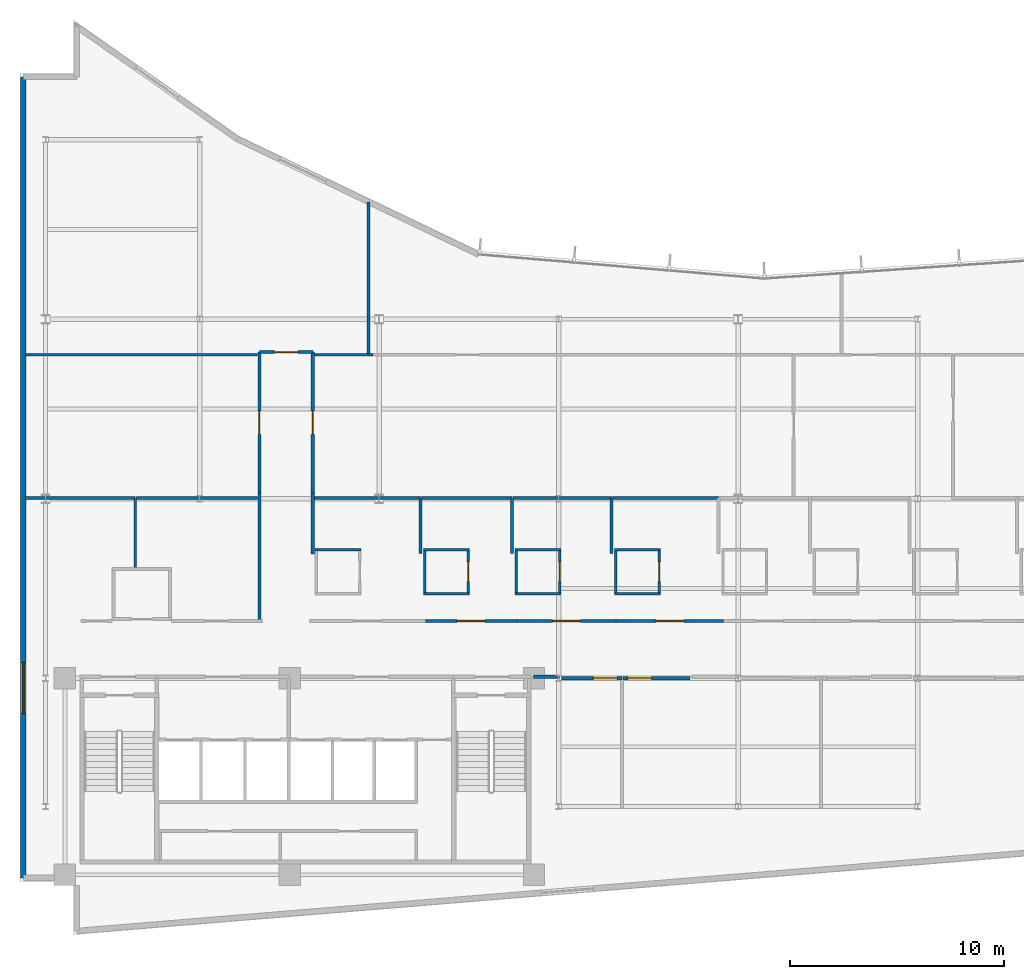
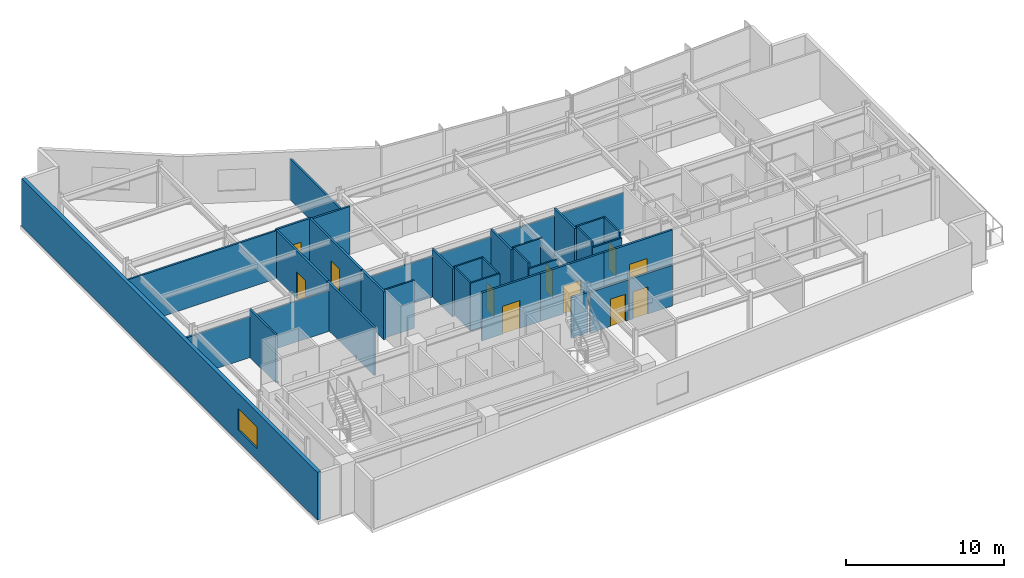
# One storey, part 10 of 15: 38 walls, 11 doors, 1 window, 12 openings.
"""IFC4 building model written with IfcOpenShell, lengths in metres."""

from ifc_helpers import new_model, si_unit, direction, frame, frame_2d, origin, place, context, subcontext, project, spatial, rectangle, extrude, material, layer, layer_set, type_object, element, fill, save


model = new_model("IFC4")

# Units and contexts
model_context = context("Model", 3, precision=1e-05, world=origin(), true_north=direction((0.0, 1.0)))
body_context = subcontext(model_context, "Body", "Model", "MODEL_VIEW")
ifc_project = project(units=[si_unit("LENGTHUNIT", "METRE"), si_unit("AREAUNIT", "SQUARE_METRE"), si_unit("VOLUMEUNIT", "CUBIC_METRE"), si_unit("PLANEANGLEUNIT", "RADIAN"), si_unit("MASSUNIT", "GRAM", prefix="KILO")], contexts=[model_context])

# Site, building, storey
site_placement = place(None, origin())
site = spatial("IfcSite", under=ifc_project, at=site_placement, CompositionType="ELEMENT")
building_placement = place(site_placement, origin())
building = spatial("IfcBuilding", under=site, at=building_placement, Name="Varnakote Quay Hospital", CompositionType="ELEMENT")
storey_placement = place(building_placement, frame((0.0, 0.0, 192.10009765625)))
storey = spatial("IfcBuildingStorey", under=building, at=storey_placement, Name="L47", CompositionType="ELEMENT", Elevation=192.10009765625)

# Walls
ifc_material_1 = material(Name="Fire-rated acoustic gypsum stud wall", Category="gypsum")
ifc_layer_1 = layer(ifc_material_1, 0.159912109375)
ifc_layer_set_1 = layer_set([ifc_layer_1], Name="Fire-rated acoustic gypsum stud wall")
wall_type_1 = type_object("IfcWallType", Name="WL-COMP-160", PredefinedType="PARTITIONING", material=ifc_layer_set_1)
wall_1_placement = place(storey_placement, frame((24.02001953125, 12.080078125, 0.0), z_axis=(0.0, 0.0, 1.0), x_axis=(1.0, 0.0, 0.0)))
element("IfcWall", 1, at=wall_1_placement, inside=storey, type_object=wall_type_1, Name="L47 Corridor South Gap Wall", PredefinedType="PARTITIONING", context=body_context, shape_type="SweptSolid", body=[
    extrude(rectangle(XDim=1.21875, YDim=0.159912109375, at=frame_2d((0.609375, 0.0))), origin(), (0.0, 0.0, 1.0), 3.15185546875),
])
ifc_material_2 = material(Name="Moisture-resistant bathroom partition", Category="gypsum")
ifc_layer_2 = layer(ifc_material_2, 0.114990234375)
ifc_layer_set_2 = layer_set([ifc_layer_2], Name="Moisture-resistant bathroom partition")
wall_type_2 = type_object("IfcWallType", Name="WL-ENS-115", PredefinedType="PARTITIONING", material=ifc_layer_set_2)
wall_2_placement = place(storey_placement, frame((13.804931640625, 18.017578125, 0.0), z_axis=(0.0, 0.0, 1.0), x_axis=(1.0, 0.0, 0.0)))
element("IfcWall", 2, at=wall_2_placement, inside=storey, type_object=wall_type_2, Name="L47 Inpatient En-Suite Bathroom 01 N Wall", PredefinedType="PARTITIONING", context=body_context, shape_type="SweptSolid", body=[
    extrude(rectangle(XDim=2.150146484375, YDim=0.114990234375, at=frame_2d((1.0751953125, 0.0))), origin(), (0.0, 0.0, 1.0), 3.7099609375),
])
for number, where, z_axis, x_axis, name in (
    (3, (18.885009765625, 15.952392578125, 0.0), (0.0, 0.0, 1.0), (1.0, 0.0, 0.0), "L47 Inpatient En-Suite Bathroom 02 S Wall"),
    (4, (18.885009765625, 18.017578125, 0.0), (0.0, 0.0, 1.0), (1.0, 0.0, 0.0), "L47 Inpatient En-Suite Bathroom 02 N Wall"),
):
    element("IfcWall", number, at=place(storey_placement, frame(where, z_axis=z_axis, x_axis=x_axis)), inside=storey, type_object=wall_type_2, Name=name, PredefinedType="PARTITIONING", context=body_context, shape_type="SweptSolid", body=[
        extrude(rectangle(XDim=2.14990234375, YDim=0.114990234375, at=frame_2d((1.074951171875, 0.0))), origin(), (0.0, 0.0, 1.0), 3.7099609375),
    ])
wall_3_placement = place(storey_placement, frame((18.9423828125, 16.010009765625, 0.0), z_axis=(0.0, 0.0, 1.0), x_axis=(0.0, 1.0, 0.0)))
element("IfcWall", 5, at=wall_3_placement, inside=storey, type_object=wall_type_2, Name="L47 Inpatient En-Suite Bathroom 02 W Wall", PredefinedType="PARTITIONING", context=body_context, shape_type="SweptSolid", body=[
    extrude(rectangle(XDim=1.949951171875, YDim=0.114990234375, at=frame_2d((0.97509765625, 0.0))), origin(), (0.0, 0.0, 1.0), 3.7099609375),
])

# Wall, opening, door
wall_4_placement = place(storey_placement, frame((20.9775390625, 16.010009765625, 0.0), z_axis=(0.0, 0.0, 1.0), x_axis=(0.0, 1.0, 0.0)))
wall_4 = element("IfcWall", 6, at=wall_4_placement, inside=storey, type_object=wall_type_2, Name="L47 Inpatient En-Suite Bathroom 02 E Wall", PredefinedType="PARTITIONING", context=body_context, shape_type="SweptSolid", body=[
    extrude(rectangle(XDim=1.949951171875, YDim=0.114990234375, at=frame_2d((0.97509765625, 0.0))), origin(), (0.0, 0.0, 1.0), 3.7099609375),
])
opening_1_placement = place(wall_4_placement, frame((0.514892578125, 0.0, 0.0)))
opening_1 = element("IfcOpeningElement", 7, at=opening_1_placement, cuts=wall_4, Name="Opening D-L47-ENS02", PredefinedType="OPENING", context=body_context, shape_type="SweptSolid", body=[
    extrude(rectangle(XDim=0.919921875, YDim=2.10009765625, at=frame_2d((0.4599609375, 1.050048828125))), frame((0.0, 0.0673828125, 0.0), z_axis=(0.0, -1.0, 0.0), x_axis=(1.0, 0.0, 0.0)), (0.0, 0.0, 1.0), 0.135009765625),
])
ifc_material_3 = material(Name="Moisture-sealed en-suite bathroom door")
door_type_1 = type_object("IfcDoorType", Name="DR-ENS-920x2100", OperationType="NOTDEFINED", PredefinedType="DOOR", material=ifc_material_3)
door_1_placement = place(opening_1_placement, origin())
door_1 = element("IfcDoor", 8, at=door_1_placement, inside=storey, type_object=door_type_1, Name="L47 Inpatient En-Suite Bathroom 02 Door", OperationType="SINGLE_SWING_LEFT", OverallHeight=2.10009765625, OverallWidth=0.919921875, PredefinedType="DOOR", context=body_context, shape_type="SweptSolid", body=[
    extrude(rectangle(XDim=0.919921875, YDim=2.10009765625, at=frame_2d((0.4599609375, 1.050048828125))), frame((0.0, 0.02490234375, 0.0), z_axis=(0.0, -1.0, 0.0), x_axis=(1.0, 0.0, 0.0)), (0.0, 0.0, 1.0), 0.050048828125),
])
fill(opening_1, door_1)

# Walls
wall_5_placement = place(storey_placement, frame((23.1650390625, 15.952392578125, 0.0), z_axis=(0.0, 0.0, 1.0), x_axis=(1.0, 0.0, 0.0)))
element("IfcWall", 9, at=wall_5_placement, inside=storey, type_object=wall_type_2, Name="L47 Inpatient En-Suite Bathroom 03 S Wall", PredefinedType="PARTITIONING", context=body_context, shape_type="SweptSolid", body=[
    extrude(rectangle(XDim=2.14990234375, YDim=0.114990234375, at=frame_2d((1.074951171875, 0.0))), origin(), (0.0, 0.0, 1.0), 3.328857421875),
])
wall_6_placement = place(storey_placement, frame((23.1650390625, 18.017578125, 0.0), z_axis=(0.0, 0.0, 1.0), x_axis=(1.0, 0.0, 0.0)))
element("IfcWall", 10, at=wall_6_placement, inside=storey, type_object=wall_type_2, Name="L47 Inpatient En-Suite Bathroom 03 N Wall", PredefinedType="PARTITIONING", context=body_context, shape_type="SweptSolid", body=[
    extrude(rectangle(XDim=2.14990234375, YDim=0.114990234375, at=frame_2d((1.074951171875, 0.0))), origin(), (0.0, 0.0, 1.0), 3.7099609375),
])
wall_7_placement = place(storey_placement, frame((23.222412109375, 16.010009765625, 0.0), z_axis=(0.0, 0.0, 1.0), x_axis=(0.0, 1.0, 0.0)))
element("IfcWall", 11, at=wall_7_placement, inside=storey, type_object=wall_type_2, Name="L47 Inpatient En-Suite Bathroom 03 W Wall", PredefinedType="PARTITIONING", context=body_context, shape_type="SweptSolid", body=[
    extrude(rectangle(XDim=1.949951171875, YDim=0.114990234375, at=frame_2d((0.97509765625, 0.0))), origin(), (0.0, 0.0, 1.0), 3.7099609375),
])

# Wall, opening, door
wall_8_placement = place(storey_placement, frame((25.257568359375, 16.010009765625, 0.0), z_axis=(0.0, 0.0, 1.0), x_axis=(0.0, 1.0, 0.0)))
wall_8 = element("IfcWall", 12, at=wall_8_placement, inside=storey, type_object=wall_type_2, Name="L47 Inpatient En-Suite Bathroom 03 E Wall", PredefinedType="PARTITIONING", context=body_context, shape_type="SweptSolid", body=[
    extrude(rectangle(XDim=1.949951171875, YDim=0.114990234375, at=frame_2d((0.97509765625, 0.0))), origin(), (0.0, 0.0, 1.0), 3.15185546875),
])
opening_2_placement = place(wall_8_placement, frame((0.514892578125, 0.0, 0.0)))
opening_2 = element("IfcOpeningElement", 13, at=opening_2_placement, cuts=wall_8, Name="Opening D-L47-ENS03", PredefinedType="OPENING", context=body_context, shape_type="SweptSolid", body=[
    extrude(rectangle(XDim=0.919921875, YDim=2.10009765625, at=frame_2d((0.4599609375, 1.050048828125))), frame((0.0, 0.0673828125, 0.0), z_axis=(0.0, -1.0, 0.0), x_axis=(1.0, 0.0, 0.0)), (0.0, 0.0, 1.0), 0.135009765625),
])
door_2_placement = place(opening_2_placement, origin())
door_2 = element("IfcDoor", 14, at=door_2_placement, inside=storey, type_object=door_type_1, Name="L47 Inpatient En-Suite Bathroom 03 Door", OperationType="SINGLE_SWING_RIGHT", OverallHeight=2.10009765625, OverallWidth=0.919921875, PredefinedType="DOOR", context=body_context, shape_type="SweptSolid", body=[
    extrude(rectangle(XDim=0.919921875, YDim=2.10009765625, at=frame_2d((0.4599609375, 1.050048828125))), frame((0.0, 0.02490234375, 0.0), z_axis=(0.0, -1.0, 0.0), x_axis=(1.0, 0.0, 0.0)), (0.0, 0.0, 1.0), 0.050048828125),
])
fill(opening_2, door_2)

# Walls
wall_9_placement = place(storey_placement, frame((27.81494140625, 15.952392578125, 0.0), z_axis=(0.0, 0.0, 1.0), x_axis=(1.0, 0.0, 0.0)))
element("IfcWall", 15, at=wall_9_placement, inside=storey, type_object=wall_type_2, Name="L47 Inpatient En-Suite Bathroom 04 S Wall", PredefinedType="PARTITIONING", context=body_context, shape_type="SweptSolid", body=[
    extrude(rectangle(XDim=2.150146484375, YDim=0.114990234375, at=frame_2d((1.0751953125, 0.0))), origin(), (0.0, 0.0, 1.0), 3.328857421875),
])
wall_10_placement = place(storey_placement, frame((27.81494140625, 18.017578125, 0.0), z_axis=(0.0, 0.0, 1.0), x_axis=(1.0, 0.0, 0.0)))
element("IfcWall", 16, at=wall_10_placement, inside=storey, type_object=wall_type_2, Name="L47 Inpatient En-Suite Bathroom 04 N Wall", PredefinedType="PARTITIONING", context=body_context, shape_type="SweptSolid", body=[
    extrude(rectangle(XDim=2.150146484375, YDim=0.114990234375, at=frame_2d((1.0751953125, 0.0))), origin(), (0.0, 0.0, 1.0), 3.7099609375),
])
wall_11_placement = place(storey_placement, frame((27.87255859375, 16.010009765625, 0.0), z_axis=(0.0, 0.0, 1.0), x_axis=(0.0, 1.0, 0.0)))
element("IfcWall", 17, at=wall_11_placement, inside=storey, type_object=wall_type_2, Name="L47 Inpatient En-Suite Bathroom 04 W Wall", PredefinedType="PARTITIONING", context=body_context, shape_type="SweptSolid", body=[
    extrude(rectangle(XDim=1.949951171875, YDim=0.114990234375, at=frame_2d((0.97509765625, 0.0))), origin(), (0.0, 0.0, 1.0), 3.7099609375),
])

# Wall, opening, door
wall_12_placement = place(storey_placement, frame((29.907470703125, 16.010009765625, 0.0), z_axis=(0.0, 0.0, 1.0), x_axis=(0.0, 1.0, 0.0)))
wall_12 = element("IfcWall", 18, at=wall_12_placement, inside=storey, type_object=wall_type_2, Name="L47 Inpatient En-Suite Bathroom 04 E Wall", PredefinedType="PARTITIONING", context=body_context, shape_type="SweptSolid", body=[
    extrude(rectangle(XDim=1.949951171875, YDim=0.114990234375, at=frame_2d((0.97509765625, 0.0))), origin(), (0.0, 0.0, 1.0), 3.7099609375),
])
opening_3_placement = place(wall_12_placement, frame((0.514892578125, 0.0, 0.0)))
opening_3 = element("IfcOpeningElement", 19, at=opening_3_placement, cuts=wall_12, Name="Opening D-L47-ENS04", PredefinedType="OPENING", context=body_context, shape_type="SweptSolid", body=[
    extrude(rectangle(XDim=0.919921875, YDim=2.10009765625, at=frame_2d((0.4599609375, 1.050048828125))), frame((0.0, 0.0673828125, 0.0), z_axis=(0.0, -1.0, 0.0), x_axis=(1.0, 0.0, 0.0)), (0.0, 0.0, 1.0), 0.135009765625),
])
door_3_placement = place(opening_3_placement, origin())
door_3 = element("IfcDoor", 20, at=door_3_placement, inside=storey, type_object=door_type_1, Name="L47 Inpatient En-Suite Bathroom 04 Door", OperationType="SINGLE_SWING_LEFT", OverallHeight=2.10009765625, OverallWidth=0.919921875, PredefinedType="DOOR", context=body_context, shape_type="SweptSolid", body=[
    extrude(rectangle(XDim=0.919921875, YDim=2.10009765625, at=frame_2d((0.4599609375, 1.050048828125))), frame((0.0, 0.02490234375, 0.0), z_axis=(0.0, -1.0, 0.0), x_axis=(1.0, 0.0, 0.0)), (0.0, 0.0, 1.0), 0.050048828125),
])
fill(opening_3, door_3)

# Wall, opening, window
ifc_material_4 = material(Name="Precast concrete N50 (f'c 50 MPa)", Category="concrete")
ifc_layer_3 = layer(ifc_material_4, 0.260009765625)
ifc_layer_set_3 = layer_set([ifc_layer_3], Name="Precast concrete N50 (f'c 50 MPa)")
wall_type_3 = type_object("IfcWallType", Name="WL-EXT-BRICK-260", PredefinedType="STANDARD", material=ifc_layer_set_3)
wall_13_placement = place(storey_placement, frame((0.159912109375, 40.139892578125, 0.0), z_axis=(0.0, 0.0, 1.0), x_axis=(0.0, -1.0, 0.0)))
wall_13 = element("IfcWall", 21, at=wall_13_placement, inside=storey, type_object=wall_type_3, Name="L47 Brick-Faced Precast Exterior Wall", PredefinedType="STANDARD", context=body_context, shape_type="SweptSolid", body=[
    extrude(rectangle(XDim=37.47998046875, YDim=0.260009765625, at=frame_2d((18.739990234375, 0.0))), origin(), (0.0, 0.0, 1.0), 3.7099609375),
])
opening_4_placement = place(wall_13_placement, frame((27.39990234375, 0.0, 0.89990234375)))
opening_4 = element("IfcOpeningElement", 22, at=opening_4_placement, cuts=wall_13, Name="Opening WN-0197", PredefinedType="OPENING", context=body_context, shape_type="SweptSolid", body=[
    extrude(rectangle(XDim=2.39990234375, YDim=1.64990234375, at=frame_2d((1.199951171875, 0.824951171875))), frame((0.0, 0.139892578125, 0.0), z_axis=(0.0, -1.0, 0.0), x_axis=(1.0, 0.0, 0.0)), (0.0, 0.0, 1.0), 0.280029296875),
])
ifc_material_5 = material(Name="Double-glazed low-E solar glass", Category="glass")
window_type = type_object("IfcWindowType", Name="WIN-CLIN-2400x1650", PartitioningType="SINGLE_PANEL", PredefinedType="WINDOW", material=ifc_material_5)
window_placement = place(opening_4_placement, origin())
window = element("IfcWindow", 23, at=window_placement, inside=storey, type_object=window_type, Name="L47 Solar-Control Clinical Window", OverallHeight=1.64990234375, OverallWidth=2.39990234375, PartitioningType="SINGLE_PANEL", PredefinedType="WINDOW", context=body_context, shape_type="SweptSolid", body=[
    extrude(rectangle(XDim=2.39990234375, YDim=1.64990234375, at=frame_2d((1.199951171875, 0.824951171875))), frame((0.0, 0.030029296875, 0.0), z_axis=(0.0, -1.0, 0.0), x_axis=(1.0, 0.0, 0.0)), (0.0, 0.0, 1.0), 0.06005859375),
])
fill(opening_4, window)

# Walls
ifc_material_6 = material(Name="Smoke-proof clinical partition", Category="gypsum")
ifc_layer_4 = layer(ifc_material_6, 0.135009765625)
ifc_layer_set_4 = layer_set([ifc_layer_4], Name="Smoke-proof clinical partition")
wall_type_4 = type_object("IfcWallType", Name="WL-SMOKE-135", PredefinedType="PARTITIONING", material=ifc_layer_set_4)
wall_14_placement = place(storey_placement, frame((5.389892578125, 17.139892578125, 0.0), z_axis=(0.0, 0.0, 1.0), x_axis=(0.0, 1.0, 0.0)))
element("IfcWall", 24, at=wall_14_placement, inside=storey, type_object=wall_type_4, Name="L47 Clinical Interior Partition", PredefinedType="PARTITIONING", context=body_context, shape_type="SweptSolid", body=[
    extrude(rectangle(XDim=3.300048828125, YDim=0.135009765625, at=frame_2d((1.64990234375, 0.0))), origin(), (0.0, 0.0, 1.0), 3.7099609375),
])
wall_15_placement = place(storey_placement, frame((5.389892578125, 20.43994140625, 0.0), z_axis=(0.0, 0.0, 1.0), x_axis=(-1.0, 0.0, 0.0)))
element("IfcWall", 25, at=wall_15_placement, inside=storey, type_object=wall_type_4, Name="L47 Clinical Interior Partition", PredefinedType="PARTITIONING", context=body_context, shape_type="SweptSolid", body=[
    extrude(rectangle(XDim=5.14990234375, YDim=0.135009765625, at=frame_2d((2.574951171875, 0.0))), origin(), (0.0, 0.0, 1.0), 3.15185546875),
])
wall_16_placement = place(storey_placement, frame((11.1201171875, 20.43994140625, 0.0), z_axis=(0.0, 0.0, 1.0), x_axis=(-1.0, 0.0, 0.0)))
element("IfcWall", 26, at=wall_16_placement, inside=storey, type_object=wall_type_4, Name="L47 Clinical Interior Partition", PredefinedType="PARTITIONING", context=body_context, shape_type="SweptSolid", body=[
    extrude(rectangle(XDim=5.672607421875, YDim=0.135009765625, at=frame_2d((2.83642578125, 0.0))), origin(), (0.0, 0.0, 1.0), 3.15185546875),
])
wall_17_placement = place(storey_placement, frame((18.739990234375, 17.83251953125, 0.0), z_axis=(0.0, 0.0, 1.0), x_axis=(0.0, 1.0, 0.0)))
element("IfcWall", 27, at=wall_17_placement, inside=storey, type_object=wall_type_4, Name="L47 Clinical Interior Partition", PredefinedType="PARTITIONING", context=body_context, shape_type="SweptSolid", body=[
    extrude(rectangle(XDim=2.607421875, YDim=0.135009765625, at=frame_2d((1.3037109375, 0.0))), origin(), (0.0, 0.0, 1.0), 3.7099609375),
])
wall_18_placement = place(storey_placement, frame((18.739990234375, 20.43994140625, 0.0), z_axis=(0.0, 0.0, 1.0), x_axis=(-1.0, 0.0, 0.0)))
element("IfcWall", 28, at=wall_18_placement, inside=storey, type_object=wall_type_4, Name="L47 Clinical Interior Partition", PredefinedType="PARTITIONING", context=body_context, shape_type="SweptSolid", body=[
    extrude(rectangle(XDim=4.9599609375, YDim=0.135009765625, at=frame_2d((2.47998046875, 0.0))), origin(), (0.0, 0.0, 1.0), 3.15185546875),
])
wall_19_placement = place(storey_placement, frame((23.02001953125, 17.83251953125, 0.0), z_axis=(0.0, 0.0, 1.0), x_axis=(0.0, 1.0, 0.0)))
element("IfcWall", 29, at=wall_19_placement, inside=storey, type_object=wall_type_4, Name="L47 Clinical Interior Partition", PredefinedType="PARTITIONING", context=body_context, shape_type="SweptSolid", body=[
    extrude(rectangle(XDim=2.607421875, YDim=0.135009765625, at=frame_2d((1.3037109375, 0.0))), origin(), (0.0, 0.0, 1.0), 3.7099609375),
])
wall_20_placement = place(storey_placement, frame((23.02001953125, 20.43994140625, 0.0), z_axis=(0.0, 0.0, 1.0), x_axis=(-1.0, 0.0, 0.0)))
element("IfcWall", 30, at=wall_20_placement, inside=storey, type_object=wall_type_4, Name="L47 Clinical Interior Partition", PredefinedType="PARTITIONING", context=body_context, shape_type="SweptSolid", body=[
    extrude(rectangle(XDim=4.222412109375, YDim=0.135009765625, at=frame_2d((2.111328125, 0.0))), origin(), (0.0, 0.0, 1.0), 3.15185546875),
])
wall_21_placement = place(storey_placement, frame((27.669921875, 17.83251953125, 0.0), z_axis=(0.0, 0.0, 1.0), x_axis=(0.0, 1.0, 0.0)))
element("IfcWall", 31, at=wall_21_placement, inside=storey, type_object=wall_type_4, Name="L47 Clinical Interior Partition", PredefinedType="PARTITIONING", context=body_context, shape_type="SweptSolid", body=[
    extrude(rectangle(XDim=2.607421875, YDim=0.135009765625, at=frame_2d((1.3037109375, 0.0))), origin(), (0.0, 0.0, 1.0), 3.7099609375),
])
wall_22_placement = place(storey_placement, frame((27.669921875, 20.43994140625, 0.0), z_axis=(0.0, 0.0, 1.0), x_axis=(-1.0, 0.0, 0.0)))
element("IfcWall", 32, at=wall_22_placement, inside=storey, type_object=wall_type_4, Name="L47 Clinical Interior Partition", PredefinedType="PARTITIONING", context=body_context, shape_type="SweptSolid", body=[
    extrude(rectangle(XDim=4.592529296875, YDim=0.135009765625, at=frame_2d((2.29638671875, 0.0))), origin(), (0.0, 0.0, 1.0), 3.15185546875),
])
wall_23_placement = place(storey_placement, frame((32.68994140625, 20.43994140625, 0.0), z_axis=(0.0, 0.0, 1.0), x_axis=(-1.0, 0.0, 0.0)))
element("IfcWall", 33, at=wall_23_placement, inside=storey, type_object=wall_type_4, Name="L47 Clinical Interior Partition", PredefinedType="PARTITIONING", context=body_context, shape_type="SweptSolid", body=[
    extrude(rectangle(XDim=4.96240234375, YDim=0.135009765625, at=frame_2d((2.481201171875, 0.0))), origin(), (0.0, 0.0, 1.0), 3.15185546875),
])
wall_24_placement = place(storey_placement, frame((11.1201171875, 27.139892578125, 0.0), z_axis=(0.0, 0.0, 1.0), x_axis=(-1.0, 0.0, 0.0)))
element("IfcWall", 34, at=wall_24_placement, inside=storey, type_object=wall_type_4, Name="L47 Clinical Interior Partition", PredefinedType="PARTITIONING", context=body_context, shape_type="SweptSolid", body=[
    extrude(rectangle(XDim=10.880126953125, YDim=0.135009765625, at=frame_2d((5.43994140625, 0.0))), origin(), (0.0, 0.0, 1.0), 3.7099609375),
])
wall_25_placement = place(storey_placement, frame((16.517578125, 27.139892578125, 0.0), z_axis=(0.0, 0.0, 1.0), x_axis=(-1.0, 0.0, 0.0)))
element("IfcWall", 35, at=wall_25_placement, inside=storey, type_object=wall_type_4, Name="L47 Clinical Interior Partition", PredefinedType="PARTITIONING", context=body_context, shape_type="SweptSolid", body=[
    extrude(rectangle(XDim=2.737548828125, YDim=0.135009765625, at=frame_2d((1.36865234375, 0.0))), origin(), (0.0, 0.0, 1.0), 3.7099609375),
])
wall_26_placement = place(storey_placement, frame((16.31005859375, 27.197509765625, 0.0), z_axis=(0.0, 0.0, 1.0), x_axis=(0.0, 1.0, 0.0)))
element("IfcWall", 36, at=wall_26_placement, inside=storey, type_object=wall_type_4, Name="L47 Clinical Interior Partition", PredefinedType="PARTITIONING", context=body_context, shape_type="SweptSolid", body=[
    extrude(rectangle(XDim=7.09326171875, YDim=0.135009765625, at=frame_2d((3.546630859375, 0.0))), origin(), (0.0, 0.0, 1.0), 3.15185546875),
])

# Wall, opening, door
ifc_material_7 = material(Name="Fire-rated clinical gypsum partition", Category="gypsum")
ifc_layer_5 = layer(ifc_material_7, 0.14990234375)
ifc_layer_set_5 = layer_set([ifc_layer_5], Name="Fire-rated clinical gypsum partition")
wall_type_5 = type_object("IfcWallType", Name="WL-WARD-150", PredefinedType="PARTITIONING", material=ifc_layer_set_5)
wall_27_placement = place(storey_placement, frame((28.159912109375, 12.0, 0.0), z_axis=(0.0, 0.0, 1.0), x_axis=(-1.0, 0.0, 0.0)))
wall_27 = element("IfcWall", 37, at=wall_27_placement, inside=storey, type_object=wall_type_5, Name="L47 Clinical Interior Partition", PredefinedType="PARTITIONING", context=body_context, shape_type="SweptSolid", body=[
    extrude(rectangle(XDim=2.83203125, YDim=0.14990234375, at=frame_2d((1.416015625, 0.0))), origin(), (0.0, 0.0, 1.0), 3.15185546875),
])
opening_5_placement = place(wall_27_placement, frame((0.2333984375, 0.0, 0.0)))
opening_5 = element("IfcOpeningElement", 38, at=opening_5_placement, cuts=wall_27, Name="Opening D-L47-RL1", PredefinedType="OPENING", context=body_context, shape_type="SweptSolid", body=[
    extrude(rectangle(XDim=1.10009765625, YDim=2.10009765625, at=frame_2d((0.550048828125, 1.050048828125))), frame((0.0, 0.0849609375, 0.0), z_axis=(0.0, -1.0, 0.0), x_axis=(1.0, 0.0, 0.0)), (0.0, 0.0, 1.0), 0.169921875),
])
ifc_material_8 = material(Name="Acoustic timber clinical consult door", Category="wood")
door_type_2 = type_object("IfcDoorType", Name="DR-CLIN-FD30S-1100x2100", OperationType="NOTDEFINED", PredefinedType="DOOR", material=ifc_material_8)
door_4_placement = place(opening_5_placement, origin())
door_4 = element("IfcDoor", 39, at=door_4_placement, inside=storey, type_object=door_type_2, Name="L47 Day Infusion Treatment Suite Door", OperationType="SINGLE_SWING_RIGHT", OverallHeight=2.10009765625, OverallWidth=1.10009765625, PredefinedType="DOOR", context=body_context, shape_type="SweptSolid", body=[
    extrude(rectangle(XDim=1.10009765625, YDim=2.10009765625, at=frame_2d((0.550048828125, 1.050048828125))), frame((0.0, 0.02490234375, 0.0), z_axis=(0.0, -1.0, 0.0), x_axis=(1.0, 0.0, 0.0)), (0.0, 0.0, 1.0), 0.050048828125),
])
fill(opening_5, door_4)

wall_28_placement = place(storey_placement, frame((31.35009765625, 12.0, 0.0), z_axis=(0.0, 0.0, 1.0), x_axis=(-1.0, 0.0, 0.0)))
wall_28 = element("IfcWall", 40, at=wall_28_placement, inside=storey, type_object=wall_type_5, Name="L47 Clinical Interior Partition", PredefinedType="PARTITIONING", context=body_context, shape_type="SweptSolid", body=[
    extrude(rectangle(XDim=3.132568359375, YDim=0.14990234375, at=frame_2d((1.56640625, 0.0))), origin(), (0.0, 0.0, 1.0), 3.15185546875),
])
opening_6_placement = place(wall_28_placement, frame((1.791748046875, 0.0, 0.0)))
opening_6 = element("IfcOpeningElement", 41, at=opening_6_placement, cuts=wall_28, Name="Opening D-L47-RL2", PredefinedType="OPENING", context=body_context, shape_type="SweptSolid", body=[
    extrude(rectangle(XDim=1.10009765625, YDim=2.10009765625, at=frame_2d((0.550048828125, 1.050048828125))), frame((0.0, 0.0849609375, 0.0), z_axis=(0.0, -1.0, 0.0), x_axis=(1.0, 0.0, 0.0)), (0.0, 0.0, 1.0), 0.169921875),
])
door_5_placement = place(opening_6_placement, origin())
door_5 = element("IfcDoor", 42, at=door_5_placement, inside=storey, type_object=door_type_2, Name="L47 Telemedicine Consult Office Door", OperationType="SINGLE_SWING_LEFT", OverallHeight=2.10009765625, OverallWidth=1.10009765625, PredefinedType="DOOR", context=body_context, shape_type="SweptSolid", body=[
    extrude(rectangle(XDim=1.10009765625, YDim=2.10009765625, at=frame_2d((0.550048828125, 1.050048828125))), frame((0.0, 0.02490234375, 0.0), z_axis=(0.0, -1.0, 0.0), x_axis=(1.0, 0.0, 0.0)), (0.0, 0.0, 1.0), 0.050048828125),
])
fill(opening_6, door_5)

wall_29_placement = place(storey_placement, frame((23.24609375, 14.679931640625, 0.0), z_axis=(0.0, 0.0, 1.0), x_axis=(-1.0, 0.0, 0.0)))
wall_29 = element("IfcWall", 43, at=wall_29_placement, inside=storey, type_object=wall_type_5, Name="L47 Clinical Interior Partition", PredefinedType="PARTITIONING", context=body_context, shape_type="SweptSolid", body=[
    extrude(rectangle(XDim=4.278076171875, YDim=0.14990234375, at=frame_2d((2.13916015625, 0.0))), origin(), (0.0, 0.0, 1.0), 3.7099609375),
])
opening_7_placement = place(wall_29_placement, frame((1.489013671875, 0.0, 0.0)))
opening_7 = element("IfcOpeningElement", 44, at=opening_7_placement, cuts=wall_29, Name="Opening D-L47-BR02", PredefinedType="OPENING", context=body_context, shape_type="SweptSolid", body=[
    extrude(rectangle(XDim=1.300048828125, YDim=2.14990234375, at=frame_2d((0.64990234375, 1.074951171875))), frame((0.0, 0.0849609375, 0.0), z_axis=(0.0, -1.0, 0.0), x_axis=(1.0, 0.0, 0.0)), (0.0, 0.0, 1.0), 0.169921875),
])
ifc_material_9 = material(Name="Solid-core timber clinical bed door", Category="wood")
door_type_3 = type_object("IfcDoorType", Name="DR-WARD-FD30S-1300x2150", OperationType="NOTDEFINED", PredefinedType="DOOR", material=ifc_material_9)
door_6_placement = place(opening_7_placement, origin())
door_6 = element("IfcDoor", 45, at=door_6_placement, inside=storey, type_object=door_type_3, Name="L47 Resident Care Bedroom 02 Door", OperationType="SINGLE_SWING_RIGHT", OverallHeight=2.14990234375, OverallWidth=1.300048828125, PredefinedType="DOOR", context=body_context, shape_type="SweptSolid", body=[
    extrude(rectangle(XDim=1.300048828125, YDim=2.14990234375, at=frame_2d((0.64990234375, 1.074951171875))), frame((0.0, 0.02490234375, 0.0), z_axis=(0.0, -1.0, 0.0), x_axis=(1.0, 0.0, 0.0)), (0.0, 0.0, 1.0), 0.050048828125),
])
fill(opening_7, door_6)

wall_30_placement = place(storey_placement, frame((27.89599609375, 14.679931640625, 0.0), z_axis=(0.0, 0.0, 1.0), x_axis=(-1.0, 0.0, 0.0)))
wall_30 = element("IfcWall", 46, at=wall_30_placement, inside=storey, type_object=wall_type_5, Name="L47 Clinical Interior Partition", PredefinedType="PARTITIONING", context=body_context, shape_type="SweptSolid", body=[
    extrude(rectangle(XDim=4.64794921875, YDim=0.14990234375, at=frame_2d((2.323974609375, 0.0))), origin(), (0.0, 0.0, 1.0), 3.7099609375),
])
opening_8_placement = place(wall_30_placement, frame((1.674072265625, 0.0, 0.0)))
opening_8 = element("IfcOpeningElement", 47, at=opening_8_placement, cuts=wall_30, Name="Opening D-L47-BR03", PredefinedType="OPENING", context=body_context, shape_type="SweptSolid", body=[
    extrude(rectangle(XDim=1.300048828125, YDim=2.14990234375, at=frame_2d((0.64990234375, 1.074951171875))), frame((0.0, 0.0849609375, 0.0), z_axis=(0.0, -1.0, 0.0), x_axis=(1.0, 0.0, 0.0)), (0.0, 0.0, 1.0), 0.169921875),
])
door_7_placement = place(opening_8_placement, origin())
door_7 = element("IfcDoor", 48, at=door_7_placement, inside=storey, type_object=door_type_3, Name="L47 Resident Care Bedroom 03 Door", OperationType="SINGLE_SWING_LEFT", OverallHeight=2.14990234375, OverallWidth=1.300048828125, PredefinedType="DOOR", context=body_context, shape_type="SweptSolid", body=[
    extrude(rectangle(XDim=1.300048828125, YDim=2.14990234375, at=frame_2d((0.64990234375, 1.074951171875))), frame((0.0, 0.02490234375, 0.0), z_axis=(0.0, -1.0, 0.0), x_axis=(1.0, 0.0, 0.0)), (0.0, 0.0, 1.0), 0.050048828125),
])
fill(opening_8, door_7)

wall_31_placement = place(storey_placement, frame((32.916015625, 14.679931640625, 0.0), z_axis=(0.0, 0.0, 1.0), x_axis=(-1.0, 0.0, 0.0)))
wall_31 = element("IfcWall", 49, at=wall_31_placement, inside=storey, type_object=wall_type_5, Name="L47 Clinical Interior Partition", PredefinedType="PARTITIONING", context=body_context, shape_type="SweptSolid", body=[
    extrude(rectangle(XDim=5.01806640625, YDim=0.14990234375, at=frame_2d((2.509033203125, 0.0))), origin(), (0.0, 0.0, 1.0), 3.7099609375),
])
opening_9_placement = place(wall_31_placement, frame((1.85888671875, 0.0, 0.0)))
opening_9 = element("IfcOpeningElement", 50, at=opening_9_placement, cuts=wall_31, Name="Opening D-L47-BR04", PredefinedType="OPENING", context=body_context, shape_type="SweptSolid", body=[
    extrude(rectangle(XDim=1.300048828125, YDim=2.14990234375, at=frame_2d((0.64990234375, 1.074951171875))), frame((0.0, 0.0849609375, 0.0), z_axis=(0.0, -1.0, 0.0), x_axis=(1.0, 0.0, 0.0)), (0.0, 0.0, 1.0), 0.169921875),
])
door_8_placement = place(opening_9_placement, origin())
door_8 = element("IfcDoor", 51, at=door_8_placement, inside=storey, type_object=door_type_3, Name="L47 Resident Care Bedroom 04 Door", OperationType="SINGLE_SWING_RIGHT", OverallHeight=2.14990234375, OverallWidth=1.300048828125, PredefinedType="DOOR", context=body_context, shape_type="SweptSolid", body=[
    extrude(rectangle(XDim=1.300048828125, YDim=2.14990234375, at=frame_2d((0.64990234375, 1.074951171875))), frame((0.0, 0.02490234375, 0.0), z_axis=(0.0, -1.0, 0.0), x_axis=(1.0, 0.0, 0.0)), (0.0, 0.0, 1.0), 0.050048828125),
])
fill(opening_9, door_8)

# Walls
wall_32_placement = place(storey_placement, frame((11.199951171875, 20.666015625, 0.0), z_axis=(0.0, 0.0, 1.0), x_axis=(0.0, -1.0, 0.0)))
element("IfcWall", 52, at=wall_32_placement, inside=storey, type_object=wall_type_5, Name="L47 Clinical Interior Partition", PredefinedType="PARTITIONING", context=body_context, shape_type="SweptSolid", body=[
    extrude(rectangle(XDim=5.966064453125, YDim=0.14990234375, at=frame_2d((2.98291015625, 0.0))), origin(), (0.0, 0.0, 1.0), 3.7099609375),
])
wall_33_placement = place(storey_placement, frame((13.699951171875, 17.81396484375, 0.0), z_axis=(0.0, 0.0, 1.0), x_axis=(0.0, 1.0, 0.0)))
element("IfcWall", 53, at=wall_33_placement, inside=storey, type_object=wall_type_5, Name="L47 Clinical Interior Partition", PredefinedType="PARTITIONING", context=body_context, shape_type="SweptSolid", body=[
    extrude(rectangle(XDim=2.85205078125, YDim=0.14990234375, at=frame_2d((1.426025390625, 0.0))), origin(), (0.0, 0.0, 1.0), 3.7099609375),
])

# Wall, opening, door
wall_34_placement = place(storey_placement, frame((11.199951171875, 27.260009765625, 0.0), z_axis=(0.0, 0.0, 1.0), x_axis=(0.0, -1.0, 0.0)))
wall_34 = element("IfcWall", 54, at=wall_34_placement, inside=storey, type_object=wall_type_5, Name="L47 Clinical Interior Partition", PredefinedType="PARTITIONING", context=body_context, shape_type="SweptSolid", body=[
    extrude(rectangle(XDim=6.592041015625, YDim=0.14990234375, at=frame_2d((3.2958984375, 0.0))), origin(), (0.0, 0.0, 1.0), 3.7099609375),
])
opening_10_placement = place(wall_34_placement, frame((2.74609375, 0.0, 0.0)))
opening_10 = element("IfcOpeningElement", 55, at=opening_10_placement, cuts=wall_34, Name="Opening D-L47-MD03", PredefinedType="OPENING", context=body_context, shape_type="SweptSolid", body=[
    extrude(rectangle(XDim=1.10009765625, YDim=2.10009765625, at=frame_2d((0.550048828125, 1.050048828125))), frame((0.0, 0.0849609375, 0.0), z_axis=(0.0, -1.0, 0.0), x_axis=(1.0, 0.0, 0.0)), (0.0, 0.0, 1.0), 0.169921875),
])
door_9_placement = place(opening_10_placement, origin())
door_9 = element("IfcDoor", 56, at=door_9_placement, inside=storey, type_object=door_type_2, Name="L47 Heart Team Clinical Consultation Suite Door", OperationType="SINGLE_SWING_LEFT", OverallHeight=2.10009765625, OverallWidth=1.10009765625, PredefinedType="DOOR", context=body_context, shape_type="SweptSolid", body=[
    extrude(rectangle(XDim=1.10009765625, YDim=2.10009765625, at=frame_2d((0.550048828125, 1.050048828125))), frame((0.0, 0.02490234375, 0.0), z_axis=(0.0, -1.0, 0.0), x_axis=(1.0, 0.0, 0.0)), (0.0, 0.0, 1.0), 0.050048828125),
])
fill(opening_10, door_9)

wall_35_placement = place(storey_placement, frame((13.699951171875, 20.66796875, 0.0), z_axis=(0.0, 0.0, 1.0), x_axis=(0.0, 1.0, 0.0)))
wall_35 = element("IfcWall", 57, at=wall_35_placement, inside=storey, type_object=wall_type_5, Name="L47 Clinical Interior Partition", PredefinedType="PARTITIONING", context=body_context, shape_type="SweptSolid", body=[
    extrude(rectangle(XDim=6.592041015625, YDim=0.14990234375, at=frame_2d((3.2958984375, 0.0))), origin(), (0.0, 0.0, 1.0), 3.7099609375),
])
opening_11_placement = place(wall_35_placement, frame((2.74609375, 0.0, 0.0)))
opening_11 = element("IfcOpeningElement", 58, at=opening_11_placement, cuts=wall_35, Name="Opening D-L47-MD04", PredefinedType="OPENING", context=body_context, shape_type="SweptSolid", body=[
    extrude(rectangle(XDim=1.10009765625, YDim=2.10009765625, at=frame_2d((0.550048828125, 1.050048828125))), frame((0.0, 0.0849609375, 0.0), z_axis=(0.0, -1.0, 0.0), x_axis=(1.0, 0.0, 0.0)), (0.0, 0.0, 1.0), 0.169921875),
])
door_10_placement = place(opening_11_placement, origin())
door_10 = element("IfcDoor", 59, at=door_10_placement, inside=storey, type_object=door_type_2, Name="L47 Cardiac Ward Pantry Door", OperationType="SINGLE_SWING_RIGHT", OverallHeight=2.10009765625, OverallWidth=1.10009765625, PredefinedType="DOOR", context=body_context, shape_type="SweptSolid", body=[
    extrude(rectangle(XDim=1.10009765625, YDim=2.10009765625, at=frame_2d((0.550048828125, 1.050048828125))), frame((0.0, 0.02490234375, 0.0), z_axis=(0.0, -1.0, 0.0), x_axis=(1.0, 0.0, 0.0)), (0.0, 0.0, 1.0), 0.050048828125),
])
fill(opening_11, door_10)

wall_36_placement = place(storey_placement, frame((13.699951171875, 27.260009765625, 0.0), z_axis=(0.0, 0.0, 1.0), x_axis=(-1.0, 0.0, 0.0)))
wall_36 = element("IfcWall", 60, at=wall_36_placement, inside=storey, type_object=wall_type_5, Name="L47 Clinical Interior Partition", PredefinedType="PARTITIONING", context=body_context, shape_type="SweptSolid", body=[
    extrude(rectangle(XDim=2.5, YDim=0.14990234375, at=frame_2d((1.25, 0.0))), origin(), (0.0, 0.0, 1.0), 3.7099609375),
])
opening_12_placement = place(wall_36_placement, frame((0.699951171875, 0.0, 0.0)))
opening_12 = element("IfcOpeningElement", 61, at=opening_12_placement, cuts=wall_36, Name="Opening D-L47-MD05", PredefinedType="OPENING", context=body_context, shape_type="SweptSolid", body=[
    extrude(rectangle(XDim=1.10009765625, YDim=2.10009765625, at=frame_2d((0.550048828125, 1.050048828125))), frame((0.0, 0.0849609375, 0.0), z_axis=(0.0, -1.0, 0.0), x_axis=(1.0, 0.0, 0.0)), (0.0, 0.0, 1.0), 0.169921875),
])
door_11_placement = place(opening_12_placement, origin())
door_11 = element("IfcDoor", 62, at=door_11_placement, inside=storey, type_object=door_type_2, Name="L47 Ward Nurse Station Office Door", OperationType="SINGLE_SWING_LEFT", OverallHeight=2.10009765625, OverallWidth=1.10009765625, PredefinedType="DOOR", context=body_context, shape_type="SweptSolid", body=[
    extrude(rectangle(XDim=1.10009765625, YDim=2.10009765625, at=frame_2d((0.550048828125, 1.050048828125))), frame((0.0, 0.02490234375, 0.0), z_axis=(0.0, -1.0, 0.0), x_axis=(1.0, 0.0, 0.0)), (0.0, 0.0, 1.0), 0.050048828125),
])
fill(opening_12, door_11)

save(model, "model.ifc")
